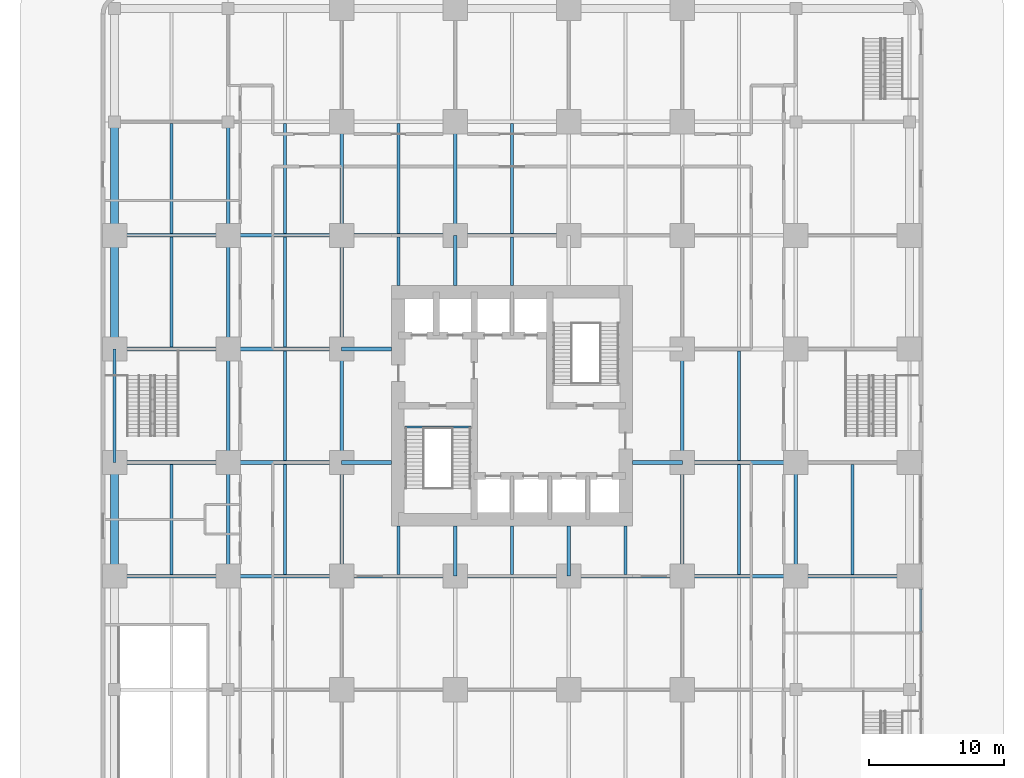
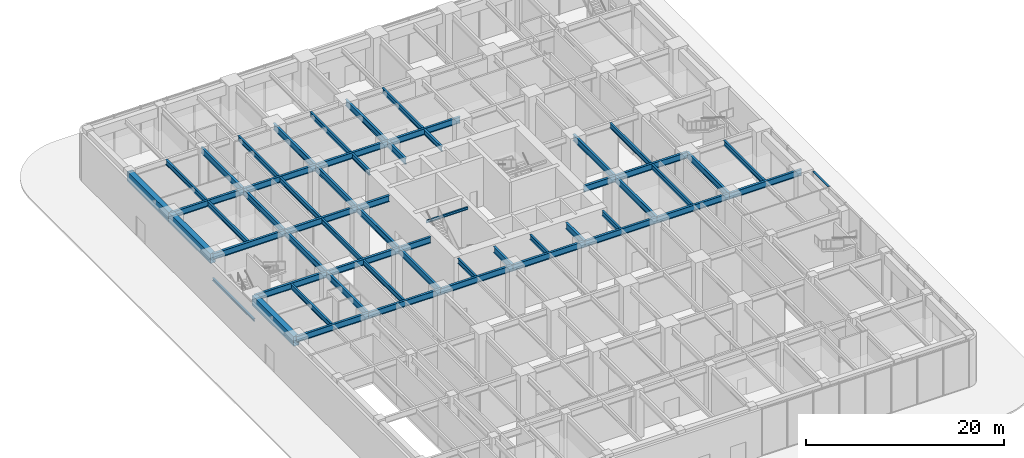
# One storey, part 5 of 21: 56 beams, 1 member, 1 element without a shape of its own.
"""IFC4 building model written with IfcOpenShell, lengths in metres."""

from ifc_helpers import new_model, si_unit, direction, frame, origin, origin_2d, place, context, subcontext, project, spatial, rectangle, i_section, extrude, material, material_profile, profile_set, type_object, element, aggregate, save


model = new_model("IFC4")

# Units and contexts
model_context = context("Model", 3, precision=1e-05, world=origin(), true_north=direction((0.0, 1.0)))
body_context = subcontext(model_context, "Body", "Model", "MODEL_VIEW")
ifc_project = project(units=[si_unit("LENGTHUNIT", "METRE"), si_unit("AREAUNIT", "SQUARE_METRE"), si_unit("VOLUMEUNIT", "CUBIC_METRE"), si_unit("PLANEANGLEUNIT", "RADIAN"), si_unit("MASSUNIT", "GRAM", prefix="KILO")], contexts=[model_context])

# Site, building, storey
site_placement = place(None, origin())
site = spatial("IfcSite", under=ifc_project, at=site_placement, CompositionType="ELEMENT")
building_placement = place(site_placement, origin())
building = spatial("IfcBuilding", under=site, at=building_placement, Name="Torre Alcanfor", CompositionType="ELEMENT")
storey_placement = place(building_placement, origin())
storey = spatial("IfcBuildingStorey", under=building, at=storey_placement, Name="L00", CompositionType="ELEMENT", Elevation=0.0)

# Curtain wall, member
ifc_material_1 = material(Name="Aluminium and glass", Category="aluminium")
curtain_wall_type = type_object("IfcCurtainWallType", Name="CW-C ground floor storefront glazing", PredefinedType="NOTDEFINED", material=ifc_material_1)
curtain_wall_placement = place(storey_placement, origin())
curtain_wall = element("IfcCurtainWall", 1, at=curtain_wall_placement, inside=storey, type_object=curtain_wall_type, Name="Curtain wall CW-C L00 E 3", PredefinedType="NOTDEFINED")
ifc_material_2 = material(Name="Extruded aluminium", Category="aluminium")
ifc_material_profile_1 = material_profile(ifc_material_2, rectangle(XDim=0.199951171875, YDim=0.06494140625, at=origin_2d()), Name="CW-C transom 200x65")
ifc_profile_set_1 = profile_set([ifc_material_profile_1], Name="Extruded aluminium")
member_type = type_object("IfcMemberType", Name="CW-C transom 65x200", PredefinedType="USERDEFINED", material=ifc_profile_set_1)
member_placement = place(storey_placement, frame((59.64990234375, 12.703857421875, 5.767578125), z_axis=(0.0, 1.0, 0.0), x_axis=(-1.0, 0.0, 0.0)))
member = element("IfcMember", 2, at=member_placement, type_object=member_type, Name="CW-C transom 1.4.2", ObjectType="TRANSOM", PredefinedType="USERDEFINED", context=body_context, shape_type="SweptSolid", body=[
    extrude(rectangle(XDim=0.199951171875, YDim=0.06494140625, at=origin_2d()), origin(), (0.0, 0.0, 1.0), 3.126220703125),
])
aggregate(curtain_wall, [member])

# Beams
ifc_material_3 = material(Name="Steel ASTM A992 Grade 50", Category="steel")
ifc_material_profile_2 = material_profile(ifc_material_3, i_section(OverallWidth=0.2666015625, OverallDepth=0.7568359375, WebThickness=0.013916015625, FlangeThickness=0.019287109375, at=origin_2d()), Name="W30x108")
ifc_profile_set_2 = profile_set([ifc_material_profile_2], Name="Steel ASTM A992 Grade 50")
beam_type_1 = type_object("IfcBeamType", Name="Girder W30x108", PredefinedType="BEAM", material=ifc_profile_set_2)
beam_1_placement = place(storey_placement, frame((0.0, 16.800048828125, 5.421630859375), z_axis=(1.0, 0.0, 0.0), x_axis=(0.0, 1.0, 0.0)))
element("IfcBeam", 3, at=beam_1_placement, inside=storey, type_object=beam_type_1, Name="Beam 1E-2E under L01", PredefinedType="BEAM", context=body_context, shape_type="SweptSolid", body=[
    extrude(i_section(OverallWidth=0.2666015625, OverallDepth=0.7568359375, WebThickness=0.013916015625, FlangeThickness=0.019287109375, at=origin_2d()), origin(), (0.0, 0.0, 1.0), 8.39990234375),
])
beam_2_placement = place(storey_placement, frame((8.39990234375, 16.800048828125, 5.421630859375), z_axis=(1.0, 0.0, 0.0), x_axis=(0.0, 1.0, 0.0)))
element("IfcBeam", 4, at=beam_2_placement, inside=storey, type_object=beam_type_1, Name="Beam 2E-3E under L01", PredefinedType="BEAM", context=body_context, shape_type="SweptSolid", body=[
    extrude(i_section(OverallWidth=0.2666015625, OverallDepth=0.7568359375, WebThickness=0.013916015625, FlangeThickness=0.019287109375, at=origin_2d()), origin(), (0.0, 0.0, 1.0), 8.400146484375),
])
beam_3_placement = place(storey_placement, frame((16.800048828125, 16.800048828125, 5.421630859375), z_axis=(1.0, 0.0, 0.0), x_axis=(0.0, 1.0, 0.0)))
element("IfcBeam", 5, at=beam_3_placement, inside=storey, type_object=beam_type_1, Name="Beam 3E-4E under L01", PredefinedType="BEAM", context=body_context, shape_type="SweptSolid", body=[
    extrude(i_section(OverallWidth=0.2666015625, OverallDepth=0.7568359375, WebThickness=0.013916015625, FlangeThickness=0.019287109375, at=origin_2d()), origin(), (0.0, 0.0, 1.0), 8.39990234375),
])
beam_4_placement = place(storey_placement, frame((25.199951171875, 16.800048828125, 5.421630859375), z_axis=(1.0, 0.0, 0.0), x_axis=(0.0, 1.0, 0.0)))
element("IfcBeam", 6, at=beam_4_placement, inside=storey, type_object=beam_type_1, Name="Beam 4E-5E under L01", PredefinedType="BEAM", context=body_context, shape_type="SweptSolid", body=[
    extrude(i_section(OverallWidth=0.2666015625, OverallDepth=0.7568359375, WebThickness=0.013916015625, FlangeThickness=0.019287109375, at=origin_2d()), origin(), (0.0, 0.0, 1.0), 8.400146484375),
])
for number, where, z_axis, x_axis, name in (
    (7, (33.60009765625, 16.800048828125, 5.421630859375), (1.0, 0.0, 0.0), (0.0, 1.0, 0.0), "Beam 5E-6E under L01"),
    (8, (42.0, 16.800048828125, 5.421630859375), (1.0, 0.0, 0.0), (0.0, 1.0, 0.0), "Beam 6E-7E under L01"),
):
    element("IfcBeam", number, at=place(storey_placement, frame(where, z_axis=z_axis, x_axis=x_axis)), inside=storey, type_object=beam_type_1, Name=name, PredefinedType="BEAM", context=body_context, shape_type="SweptSolid", body=[
        extrude(i_section(OverallWidth=0.2666015625, OverallDepth=0.7568359375, WebThickness=0.013916015625, FlangeThickness=0.019287109375, at=origin_2d()), origin(), (0.0, 0.0, 1.0), 8.39990234375),
    ])
beam_5_placement = place(storey_placement, frame((50.39990234375, 16.800048828125, 5.421630859375), z_axis=(1.0, 0.0, 0.0), x_axis=(0.0, 1.0, 0.0)))
element("IfcBeam", 9, at=beam_5_placement, inside=storey, type_object=beam_type_1, Name="Beam 7E-8E under L01", PredefinedType="BEAM", context=body_context, shape_type="SweptSolid", body=[
    extrude(i_section(OverallWidth=0.2666015625, OverallDepth=0.7568359375, WebThickness=0.013916015625, FlangeThickness=0.019287109375, at=origin_2d()), origin(), (0.0, 0.0, 1.0), 8.400146484375),
])
beam_6_placement = place(storey_placement, frame((0.0, 25.199951171875, 5.421630859375), z_axis=(1.0, 0.0, 0.0), x_axis=(0.0, 1.0, 0.0)))
element("IfcBeam", 10, at=beam_6_placement, inside=storey, type_object=beam_type_1, Name="Beam 1F-2F under L01", PredefinedType="BEAM", context=body_context, shape_type="SweptSolid", body=[
    extrude(i_section(OverallWidth=0.2666015625, OverallDepth=0.7568359375, WebThickness=0.013916015625, FlangeThickness=0.019287109375, at=origin_2d()), origin(), (0.0, 0.0, 1.0), 8.39990234375),
])
beam_7_placement = place(storey_placement, frame((8.39990234375, 25.199951171875, 5.421630859375), z_axis=(1.0, 0.0, 0.0), x_axis=(0.0, 1.0, 0.0)))
element("IfcBeam", 11, at=beam_7_placement, inside=storey, type_object=beam_type_1, Name="Beam 2F-3F under L01", PredefinedType="BEAM", context=body_context, shape_type="SweptSolid", body=[
    extrude(i_section(OverallWidth=0.2666015625, OverallDepth=0.7568359375, WebThickness=0.013916015625, FlangeThickness=0.019287109375, at=origin_2d()), origin(), (0.0, 0.0, 1.0), 8.400146484375),
])
for number, where, z_axis, x_axis, name in (
    (12, (42.0, 25.199951171875, 5.421630859375), (1.0, 0.0, 0.0), (0.0, 1.0, 0.0), "Beam 6F-7F under L01"),
    (13, (0.0, 33.60009765625, 5.421630859375), (1.0, 0.0, 0.0), (0.0, 1.0, 0.0), "Beam 1G-2G under L01"),
):
    element("IfcBeam", number, at=place(storey_placement, frame(where, z_axis=z_axis, x_axis=x_axis)), inside=storey, type_object=beam_type_1, Name=name, PredefinedType="BEAM", context=body_context, shape_type="SweptSolid", body=[
        extrude(i_section(OverallWidth=0.2666015625, OverallDepth=0.7568359375, WebThickness=0.013916015625, FlangeThickness=0.019287109375, at=origin_2d()), origin(), (0.0, 0.0, 1.0), 8.39990234375),
    ])
beam_8_placement = place(storey_placement, frame((8.39990234375, 33.60009765625, 5.421630859375), z_axis=(1.0, 0.0, 0.0), x_axis=(0.0, 1.0, 0.0)))
element("IfcBeam", 14, at=beam_8_placement, inside=storey, type_object=beam_type_1, Name="Beam 2G-3G under L01", PredefinedType="BEAM", context=body_context, shape_type="SweptSolid", body=[
    extrude(i_section(OverallWidth=0.2666015625, OverallDepth=0.7568359375, WebThickness=0.013916015625, FlangeThickness=0.019287109375, at=origin_2d()), origin(), (0.0, 0.0, 1.0), 8.400146484375),
])
beam_9_placement = place(storey_placement, frame((0.0, 42.0, 5.421630859375), z_axis=(1.0, 0.0, 0.0), x_axis=(0.0, 1.0, 0.0)))
element("IfcBeam", 15, at=beam_9_placement, inside=storey, type_object=beam_type_1, Name="Beam 1H-2H under L01", PredefinedType="BEAM", context=body_context, shape_type="SweptSolid", body=[
    extrude(i_section(OverallWidth=0.2666015625, OverallDepth=0.7568359375, WebThickness=0.013916015625, FlangeThickness=0.019287109375, at=origin_2d()), origin(), (0.0, 0.0, 1.0), 8.39990234375),
])
beam_10_placement = place(storey_placement, frame((8.39990234375, 42.0, 5.421630859375), z_axis=(1.0, 0.0, 0.0), x_axis=(0.0, 1.0, 0.0)))
element("IfcBeam", 16, at=beam_10_placement, inside=storey, type_object=beam_type_1, Name="Beam 2H-3H under L01", PredefinedType="BEAM", context=body_context, shape_type="SweptSolid", body=[
    extrude(i_section(OverallWidth=0.2666015625, OverallDepth=0.7568359375, WebThickness=0.013916015625, FlangeThickness=0.019287109375, at=origin_2d()), origin(), (0.0, 0.0, 1.0), 8.400146484375),
])
beam_11_placement = place(storey_placement, frame((16.800048828125, 42.0, 5.421630859375), z_axis=(1.0, 0.0, 0.0), x_axis=(0.0, 1.0, 0.0)))
element("IfcBeam", 17, at=beam_11_placement, inside=storey, type_object=beam_type_1, Name="Beam 3H-4H under L01", PredefinedType="BEAM", context=body_context, shape_type="SweptSolid", body=[
    extrude(i_section(OverallWidth=0.2666015625, OverallDepth=0.7568359375, WebThickness=0.013916015625, FlangeThickness=0.019287109375, at=origin_2d()), origin(), (0.0, 0.0, 1.0), 8.39990234375),
])
beam_12_placement = place(storey_placement, frame((25.199951171875, 42.0, 5.421630859375), z_axis=(1.0, 0.0, 0.0), x_axis=(0.0, 1.0, 0.0)))
element("IfcBeam", 18, at=beam_12_placement, inside=storey, type_object=beam_type_1, Name="Beam 4H-5H under L01", PredefinedType="BEAM", context=body_context, shape_type="SweptSolid", body=[
    extrude(i_section(OverallWidth=0.2666015625, OverallDepth=0.7568359375, WebThickness=0.013916015625, FlangeThickness=0.019287109375, at=origin_2d()), origin(), (0.0, 0.0, 1.0), 8.400146484375),
])
beam_13_placement = place(storey_placement, frame((8.39990234375, 16.800048828125, 5.421630859375), z_axis=(0.0, 1.0, 0.0), x_axis=(-1.0, 0.0, 0.0)))
element("IfcBeam", 19, at=beam_13_placement, inside=storey, type_object=beam_type_1, Name="Beam 2E-2F under L01", PredefinedType="BEAM", context=body_context, shape_type="SweptSolid", body=[
    extrude(i_section(OverallWidth=0.2666015625, OverallDepth=0.7568359375, WebThickness=0.013916015625, FlangeThickness=0.019287109375, at=origin_2d()), origin(), (0.0, 0.0, 1.0), 8.39990234375),
])
beam_14_placement = place(storey_placement, frame((8.39990234375, 25.199951171875, 5.421630859375), z_axis=(0.0, 1.0, 0.0), x_axis=(-1.0, 0.0, 0.0)))
element("IfcBeam", 20, at=beam_14_placement, inside=storey, type_object=beam_type_1, Name="Beam 2F-2G under L01", PredefinedType="BEAM", context=body_context, shape_type="SweptSolid", body=[
    extrude(i_section(OverallWidth=0.2666015625, OverallDepth=0.7568359375, WebThickness=0.013916015625, FlangeThickness=0.019287109375, at=origin_2d()), origin(), (0.0, 0.0, 1.0), 8.400146484375),
])
for number, where, z_axis, x_axis, name in (
    (21, (8.39990234375, 33.60009765625, 5.421630859375), (0.0, 1.0, 0.0), (-1.0, 0.0, 0.0), "Beam 2G-2H under L01"),
    (22, (8.39990234375, 42.0, 5.421630859375), (0.0, 1.0, 0.0), (-1.0, 0.0, 0.0), "Beam 2H-2J under L01"),
    (23, (16.800048828125, 16.800048828125, 5.421630859375), (0.0, 1.0, 0.0), (-1.0, 0.0, 0.0), "Beam 3E-3F under L01"),
):
    element("IfcBeam", number, at=place(storey_placement, frame(where, z_axis=z_axis, x_axis=x_axis)), inside=storey, type_object=beam_type_1, Name=name, PredefinedType="BEAM", context=body_context, shape_type="SweptSolid", body=[
        extrude(i_section(OverallWidth=0.2666015625, OverallDepth=0.7568359375, WebThickness=0.013916015625, FlangeThickness=0.019287109375, at=origin_2d()), origin(), (0.0, 0.0, 1.0), 8.39990234375),
    ])
beam_15_placement = place(storey_placement, frame((16.800048828125, 25.199951171875, 5.421630859375), z_axis=(0.0, 1.0, 0.0), x_axis=(-1.0, 0.0, 0.0)))
element("IfcBeam", 24, at=beam_15_placement, inside=storey, type_object=beam_type_1, Name="Beam 3F-3G under L01", PredefinedType="BEAM", context=body_context, shape_type="SweptSolid", body=[
    extrude(i_section(OverallWidth=0.2666015625, OverallDepth=0.7568359375, WebThickness=0.013916015625, FlangeThickness=0.019287109375, at=origin_2d()), origin(), (0.0, 0.0, 1.0), 8.400146484375),
])
for number, where, z_axis, x_axis, name in (
    (25, (16.800048828125, 33.60009765625, 5.421630859375), (0.0, 1.0, 0.0), (-1.0, 0.0, 0.0), "Beam 3G-3H under L01"),
    (26, (16.800048828125, 42.0, 5.421630859375), (0.0, 1.0, 0.0), (-1.0, 0.0, 0.0), "Beam 3H-3J under L01"),
    (27, (25.199951171875, 42.0, 5.421630859375), (0.0, 1.0, 0.0), (-1.0, 0.0, 0.0), "Beam 4H-4J under L01"),
    (28, (42.0, 16.800048828125, 5.421630859375), (0.0, 1.0, 0.0), (-1.0, 0.0, 0.0), "Beam 6E-6F under L01"),
):
    element("IfcBeam", number, at=place(storey_placement, frame(where, z_axis=z_axis, x_axis=x_axis)), inside=storey, type_object=beam_type_1, Name=name, PredefinedType="BEAM", context=body_context, shape_type="SweptSolid", body=[
        extrude(i_section(OverallWidth=0.2666015625, OverallDepth=0.7568359375, WebThickness=0.013916015625, FlangeThickness=0.019287109375, at=origin_2d()), origin(), (0.0, 0.0, 1.0), 8.39990234375),
    ])
beam_16_placement = place(storey_placement, frame((42.0, 25.199951171875, 5.421630859375), z_axis=(0.0, 1.0, 0.0), x_axis=(-1.0, 0.0, 0.0)))
element("IfcBeam", 29, at=beam_16_placement, inside=storey, type_object=beam_type_1, Name="Beam 6F-6G under L01", PredefinedType="BEAM", context=body_context, shape_type="SweptSolid", body=[
    extrude(i_section(OverallWidth=0.2666015625, OverallDepth=0.7568359375, WebThickness=0.013916015625, FlangeThickness=0.019287109375, at=origin_2d()), origin(), (0.0, 0.0, 1.0), 8.400146484375),
])
beam_17_placement = place(storey_placement, frame((50.39990234375, 16.800048828125, 5.421630859375), z_axis=(0.0, 1.0, 0.0), x_axis=(-1.0, 0.0, 0.0)))
element("IfcBeam", 30, at=beam_17_placement, inside=storey, type_object=beam_type_1, Name="Beam 7E-7F under L01", PredefinedType="BEAM", context=body_context, shape_type="SweptSolid", body=[
    extrude(i_section(OverallWidth=0.2666015625, OverallDepth=0.7568359375, WebThickness=0.013916015625, FlangeThickness=0.019287109375, at=origin_2d()), origin(), (0.0, 0.0, 1.0), 8.39990234375),
])
ifc_material_4 = material(Name="Steel ASTM A992 Grade 50", Category="steel")
ifc_material_profile_3 = material_profile(ifc_material_4, i_section(OverallWidth=0.2666015625, OverallDepth=0.7568359375, WebThickness=0.013916015625, FlangeThickness=0.019287109375, at=origin_2d()), Name="W30x108")
ifc_profile_set_3 = profile_set([ifc_material_profile_3], Name="Steel ASTM A992 Grade 50")
beam_type_2 = type_object("IfcBeamType", Name="Girder, part bay W30x108", PredefinedType="BEAM", material=ifc_profile_set_3)
for number, where, z_axis, x_axis, name in (
    (31, (25.199951171875, 16.800048828125, 5.421630859375), (0.0, 1.0, 0.0), (-1.0, 0.0, 0.0), "Beam 4E-420_5 under L01"),
    (32, (25.199951171875, 42.0, 5.421630859375), (0.0, -1.0, 0.0), (1.0, 0.0, 0.0), "Beam 4H-438_3 under L01"),
    (33, (33.60009765625, 16.800048828125, 5.421630859375), (0.0, 1.0, 0.0), (-1.0, 0.0, 0.0), "Beam 5E-520_5 under L01"),
    (34, (16.800048828125, 25.199951171875, 5.421630859375), (1.0, 0.0, 0.0), (0.0, 1.0, 0.0), "Beam 3F-20_5F under L01"),
    (35, (42.0, 25.199951171875, 5.421630859375), (-1.0, 0.0, 0.0), (0.0, -1.0, 0.0), "Beam 6F-38_3F under L01"),
    (36, (16.800048828125, 33.60009765625, 5.421630859375), (1.0, 0.0, 0.0), (0.0, 1.0, 0.0), "Beam 3G-20_5G under L01"),
):
    element("IfcBeam", number, at=place(storey_placement, frame(where, z_axis=z_axis, x_axis=x_axis)), inside=storey, type_object=beam_type_2, Name=name, PredefinedType="BEAM", context=body_context, shape_type="SweptSolid", body=[
        extrude(i_section(OverallWidth=0.2666015625, OverallDepth=0.7568359375, WebThickness=0.013916015625, FlangeThickness=0.019287109375, at=origin_2d()), origin(), (0.0, 0.0, 1.0), 3.699951171875),
    ])
ifc_material_5 = material(Name="Concrete f'c 70 MPa", Category="concrete")
ifc_material_profile_4 = material_profile(ifc_material_5, rectangle(XDim=0.60009765625, YDim=1.199951171875, at=origin_2d()), Name="600x1200")
ifc_profile_set_4 = profile_set([ifc_material_profile_4], Name="Concrete f'c 70 MPa")
beam_type_3 = type_object("IfcBeamType", Name="RC perimeter beam 600x1200", PredefinedType="BEAM", material=ifc_profile_set_4)
for number, where, z_axis, x_axis, name in (
    (37, (0.0, 16.800048828125, 5.199951171875), (0.0, 1.0, 0.0), (-1.0, 0.0, 0.0), "Beam 1E-1F under L01"),
    (38, (0.0, 33.60009765625, 5.199951171875), (0.0, 1.0, 0.0), (-1.0, 0.0, 0.0), "Beam 1G-1H under L01"),
    (39, (0.0, 42.0, 5.199951171875), (0.0, 1.0, 0.0), (-1.0, 0.0, 0.0), "Beam 1H-1J under L01"),
):
    element("IfcBeam", number, at=place(storey_placement, frame(where, z_axis=z_axis, x_axis=x_axis)), inside=storey, type_object=beam_type_3, Name=name, PredefinedType="BEAM", context=body_context, shape_type="SweptSolid", body=[
        extrude(rectangle(XDim=0.60009765625, YDim=1.199951171875, at=origin_2d()), origin(), (0.0, 0.0, 1.0), 8.39990234375),
    ])
ifc_material_6 = material(Name="Steel ASTM A992 Grade 50", Category="steel")
ifc_material_profile_5 = material_profile(ifc_material_6, i_section(OverallWidth=0.203369140625, OverallDepth=0.30224609375, WebThickness=0.007568359375, FlangeThickness=0.01318359375, at=origin_2d()), Name="W12x40")
ifc_profile_set_5 = profile_set([ifc_material_profile_5], Name="Steel ASTM A992 Grade 50")
beam_type_4 = type_object("IfcBeamType", Name="School stair landing beam W12x40", PredefinedType="BEAM", material=ifc_profile_set_5)
beam_18_placement = place(storey_placement, frame((0.0, 25.199951171875, 2.64892578125), z_axis=(0.0, 1.0, 0.0), x_axis=(-1.0, 0.0, 0.0)))
element("IfcBeam", 40, at=beam_18_placement, inside=storey, type_object=beam_type_4, Name="Landing beam SS1 L00", PredefinedType="BEAM", context=body_context, shape_type="SweptSolid", body=[
    extrude(i_section(OverallWidth=0.203369140625, OverallDepth=0.30224609375, WebThickness=0.007568359375, FlangeThickness=0.01318359375, at=origin_2d()), origin(), (0.0, 0.0, 1.0), 8.400146484375),
])
ifc_material_7 = material(Name="Steel ASTM A992 Grade 50", Category="steel")
ifc_material_profile_6 = material_profile(ifc_material_7, i_section(OverallWidth=0.22900390625, OverallDepth=0.612060546875, WebThickness=0.011962890625, FlangeThickness=0.01953125, at=origin_2d()), Name="W24x84")
ifc_profile_set_6 = profile_set([ifc_material_profile_6], Name="Steel ASTM A992 Grade 50")
beam_type_5 = type_object("IfcBeamType", Name="Secondary beam W24x84", PredefinedType="BEAM", material=ifc_profile_set_6)
beam_19_placement = place(storey_placement, frame((4.199951171875, 16.93310546875, 5.493896484375), z_axis=(0.0, 1.0, 0.0), x_axis=(-1.0, 0.0, 0.0)))
element("IfcBeam", 41, at=beam_19_placement, inside=storey, type_object=beam_type_5, Name="Beam 4_2E-4_2F under L01", PredefinedType="BEAM", context=body_context, shape_type="SweptSolid", body=[
    extrude(i_section(OverallWidth=0.22900390625, OverallDepth=0.612060546875, WebThickness=0.011962890625, FlangeThickness=0.01953125, at=origin_2d()), origin(), (0.0, 0.0, 1.0), 8.1337890625),
])
for number, where, z_axis, x_axis, name in (
    (42, (4.199951171875, 33.73291015625, 5.493896484375), (0.0, 1.0, 0.0), (-1.0, 0.0, 0.0), "Beam 4_2G-4_2H under L01"),
    (43, (4.199951171875, 42.133056640625, 5.493896484375), (0.0, 1.0, 0.0), (-1.0, 0.0, 0.0), "Beam 4_2H-4_2J under L01"),
):
    element("IfcBeam", number, at=place(storey_placement, frame(where, z_axis=z_axis, x_axis=x_axis)), inside=storey, type_object=beam_type_5, Name=name, PredefinedType="BEAM", context=body_context, shape_type="SweptSolid", body=[
        extrude(i_section(OverallWidth=0.22900390625, OverallDepth=0.612060546875, WebThickness=0.011962890625, FlangeThickness=0.01953125, at=origin_2d()), origin(), (0.0, 0.0, 1.0), 8.134033203125),
    ])
beam_20_placement = place(storey_placement, frame((12.60009765625, 16.93310546875, 5.493896484375), z_axis=(0.0, 1.0, 0.0), x_axis=(-1.0, 0.0, 0.0)))
element("IfcBeam", 44, at=beam_20_placement, inside=storey, type_object=beam_type_5, Name="Beam 12_6E-12_6F under L01", PredefinedType="BEAM", context=body_context, shape_type="SweptSolid", body=[
    extrude(i_section(OverallWidth=0.22900390625, OverallDepth=0.612060546875, WebThickness=0.011962890625, FlangeThickness=0.01953125, at=origin_2d()), origin(), (0.0, 0.0, 1.0), 8.1337890625),
])
for number, where, z_axis, x_axis, name in (
    (45, (12.60009765625, 25.3330078125, 5.493896484375), (0.0, 1.0, 0.0), (-1.0, 0.0, 0.0), "Beam 12_6F-12_6G under L01"),
    (46, (12.60009765625, 33.73291015625, 5.493896484375), (0.0, 1.0, 0.0), (-1.0, 0.0, 0.0), "Beam 12_6G-12_6H under L01"),
    (47, (12.60009765625, 42.133056640625, 5.493896484375), (0.0, 1.0, 0.0), (-1.0, 0.0, 0.0), "Beam 12_6H-12_6J under L01"),
    (48, (21.0, 42.133056640625, 5.493896484375), (0.0, 1.0, 0.0), (-1.0, 0.0, 0.0), "Beam 21H-21J under L01"),
    (49, (29.39990234375, 42.133056640625, 5.493896484375), (0.0, 1.0, 0.0), (-1.0, 0.0, 0.0), "Beam 29_4H-29_4J under L01"),
):
    element("IfcBeam", number, at=place(storey_placement, frame(where, z_axis=z_axis, x_axis=x_axis)), inside=storey, type_object=beam_type_5, Name=name, PredefinedType="BEAM", context=body_context, shape_type="SweptSolid", body=[
        extrude(i_section(OverallWidth=0.22900390625, OverallDepth=0.612060546875, WebThickness=0.011962890625, FlangeThickness=0.01953125, at=origin_2d()), origin(), (0.0, 0.0, 1.0), 8.134033203125),
    ])
beam_21_placement = place(storey_placement, frame((46.199951171875, 16.93310546875, 5.493896484375), z_axis=(0.0, 1.0, 0.0), x_axis=(-1.0, 0.0, 0.0)))
element("IfcBeam", 50, at=beam_21_placement, inside=storey, type_object=beam_type_5, Name="Beam 46_2E-46_2F under L01", PredefinedType="BEAM", context=body_context, shape_type="SweptSolid", body=[
    extrude(i_section(OverallWidth=0.22900390625, OverallDepth=0.612060546875, WebThickness=0.011962890625, FlangeThickness=0.01953125, at=origin_2d()), origin(), (0.0, 0.0, 1.0), 8.1337890625),
])
beam_22_placement = place(storey_placement, frame((46.199951171875, 25.3330078125, 5.493896484375), z_axis=(0.0, 1.0, 0.0), x_axis=(-1.0, 0.0, 0.0)))
element("IfcBeam", 51, at=beam_22_placement, inside=storey, type_object=beam_type_5, Name="Beam 46_2F-46_2G under L01", PredefinedType="BEAM", context=body_context, shape_type="SweptSolid", body=[
    extrude(i_section(OverallWidth=0.22900390625, OverallDepth=0.612060546875, WebThickness=0.011962890625, FlangeThickness=0.01953125, at=origin_2d()), origin(), (0.0, 0.0, 1.0), 8.134033203125),
])
beam_23_placement = place(storey_placement, frame((54.60009765625, 16.93310546875, 5.493896484375), z_axis=(0.0, 1.0, 0.0), x_axis=(-1.0, 0.0, 0.0)))
element("IfcBeam", 52, at=beam_23_placement, inside=storey, type_object=beam_type_5, Name="Beam 54_6E-54_6F under L01", PredefinedType="BEAM", context=body_context, shape_type="SweptSolid", body=[
    extrude(i_section(OverallWidth=0.22900390625, OverallDepth=0.612060546875, WebThickness=0.011962890625, FlangeThickness=0.01953125, at=origin_2d()), origin(), (0.0, 0.0, 1.0), 8.1337890625),
])
ifc_material_8 = material(Name="Steel ASTM A992 Grade 50", Category="steel")
ifc_material_profile_7 = material_profile(ifc_material_8, i_section(OverallWidth=0.22900390625, OverallDepth=0.612060546875, WebThickness=0.011962890625, FlangeThickness=0.01953125, at=origin_2d()), Name="W24x84")
ifc_profile_set_7 = profile_set([ifc_material_profile_7], Name="Steel ASTM A992 Grade 50")
beam_type_6 = type_object("IfcBeamType", Name="Secondary beam, part bay W24x84", PredefinedType="BEAM", material=ifc_profile_set_7)
for number, where, z_axis, x_axis, name in (
    (53, (21.0, 16.93310546875, 5.493896484375), (0.0, 1.0, 0.0), (-1.0, 0.0, 0.0), "Beam 21E-2120_5 under L01"),
    (54, (21.0, 38.300048828125, 5.493896484375), (0.0, 1.0, 0.0), (-1.0, 0.0, 0.0), "Beam 2138_3-21H under L01"),
    (55, (29.39990234375, 16.93310546875, 5.493896484375), (0.0, 1.0, 0.0), (-1.0, 0.0, 0.0), "Beam 29_4E-29_420_5 under L01"),
    (56, (29.39990234375, 38.300048828125, 5.493896484375), (0.0, 1.0, 0.0), (-1.0, 0.0, 0.0), "Beam 29_438_3-29_4H under L01"),
    (57, (37.800048828125, 16.93310546875, 5.493896484375), (0.0, 1.0, 0.0), (-1.0, 0.0, 0.0), "Beam 37_8E-37_820_5 under L01"),
):
    element("IfcBeam", number, at=place(storey_placement, frame(where, z_axis=z_axis, x_axis=x_axis)), inside=storey, type_object=beam_type_6, Name=name, PredefinedType="BEAM", context=body_context, shape_type="SweptSolid", body=[
        extrude(i_section(OverallWidth=0.22900390625, OverallDepth=0.612060546875, WebThickness=0.011962890625, FlangeThickness=0.01953125, at=origin_2d()), origin(), (0.0, 0.0, 1.0), 3.56689453125),
    ])
ifc_material_9 = material(Name="Steel ASTM A992 Grade 50", Category="steel")
ifc_material_profile_8 = material_profile(ifc_material_9, i_section(OverallWidth=0.164794921875, OverallDepth=0.309814453125, WebThickness=0.005859375, FlangeThickness=0.009765625, at=origin_2d()), Name="W12x26")
ifc_profile_set_8 = profile_set([ifc_material_profile_8], Name="Steel ASTM A992 Grade 50")
beam_type_7 = type_object("IfcBeamType", Name="Stair landing beam W12x26", PredefinedType="BEAM", material=ifc_profile_set_8)
beam_24_placement = place(storey_placement, frame((21.5, 27.83740234375, 5.64501953125), z_axis=(1.0, 0.0, 0.0), x_axis=(0.0, 1.0, 0.0)))
element("IfcBeam", 58, at=beam_24_placement, inside=storey, type_object=beam_type_7, Name="Landing trimmer S1 L01", PredefinedType="BEAM", context=body_context, shape_type="SweptSolid", body=[
    extrude(i_section(OverallWidth=0.164794921875, OverallDepth=0.309814453125, WebThickness=0.005859375, FlangeThickness=0.009765625, at=origin_2d()), origin(), (0.0, 0.0, 1.0), 4.85009765625),
])

save(model, "model.ifc")
